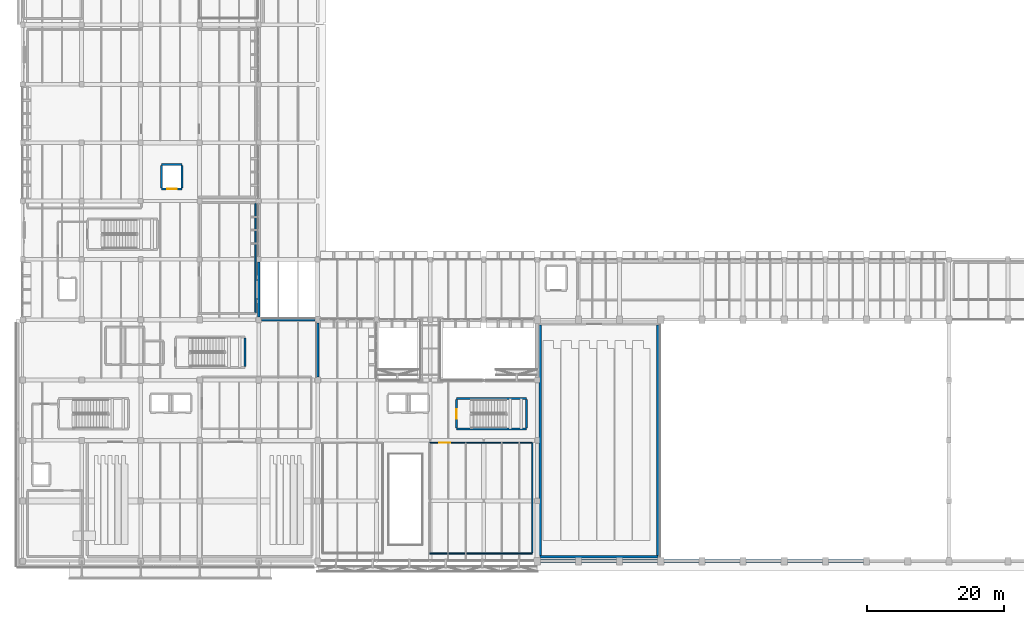
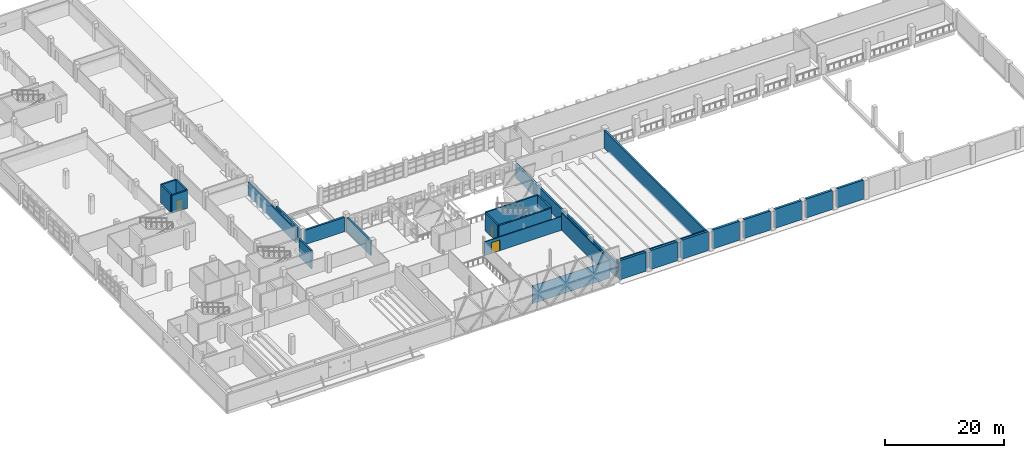
# One storey, part 61 of 80: 27 walls, 3 doors, 3 openings.
"""IFC4 building model written with IfcOpenShell, lengths in metres."""

from ifc_helpers import new_model, si_unit, direction, frame, frame_2d, origin, place, context, subcontext, project, spatial, rectangle, extrude, material, layer, layer_set, type_object, element, fill, save


model = new_model("IFC4")

# Units and contexts
model_context = context("Model", 3, precision=1e-05, world=origin(), true_north=direction((0.0, 1.0)))
body_context = subcontext(model_context, "Body", "Model", "MODEL_VIEW")
ifc_project = project(units=[si_unit("LENGTHUNIT", "METRE"), si_unit("AREAUNIT", "SQUARE_METRE"), si_unit("VOLUMEUNIT", "CUBIC_METRE"), si_unit("PLANEANGLEUNIT", "RADIAN"), si_unit("MASSUNIT", "GRAM", prefix="KILO")], contexts=[model_context])

# Site, building, storey
site_placement = place(None, origin())
site = spatial("IfcSite", under=ifc_project, at=site_placement, CompositionType="ELEMENT")
building_placement = place(site_placement, origin())
building = spatial("IfcBuilding", under=site, at=building_placement, Name="Varnakota Cinema and Media Centre", CompositionType="ELEMENT")
storey_placement = place(building_placement, frame((0.0, 0.0, 4.5)))
storey = spatial("IfcBuildingStorey", under=building, at=storey_placement, Name="L01", CompositionType="ELEMENT", Elevation=4.5)

# Walls
ifc_material_1 = material(Name="Autoclaved aerated concrete blockwork", Category="masonry")
ifc_layer_1 = layer(ifc_material_1, 0.2099609375)
ifc_layer_set_1 = layer_set([ifc_layer_1], Name="Autoclaved aerated concrete blockwork")
wall_type_1 = type_object("IfcWallType", Name="W-ACOUST-210", PredefinedType="PARTITIONING", material=ifc_layer_set_1)
wall_1_placement = place(storey_placement, frame((33.905029296875, 52.199951171875, 0.0), z_axis=(0.0, 0.0, 1.0), x_axis=(0.0, -1.0, 0.0)))
element("IfcWall", 1, at=wall_1_placement, inside=storey, type_object=wall_type_1, Name="L01 RWALL-RM-L01-ADR E wall", PredefinedType="PARTITIONING", context=body_context, shape_type="SweptSolid", body=[
    extrude(rectangle(XDim=16.0, YDim=0.2099609375, at=frame_2d((8.0, 0.0))), origin(), (0.0, 0.0, 1.0), 2.830078125),
])
ifc_material_2 = material(Name="Concrete M40", Category="concrete")
ifc_layer_2 = layer(ifc_material_2, 0.300048828125)
ifc_layer_set_2 = layer_set([ifc_layer_2], Name="Concrete M40")
wall_type_2 = type_object("IfcWallType", Name="W-CORE-300", PredefinedType="SHEAR", material=ifc_layer_set_2)
wall_2_placement = place(storey_placement, frame((32.429931640625, 32.550048828125, 0.0), z_axis=(0.0, 0.0, 1.0), x_axis=(0.0, -1.0, 0.0)))
element("IfcWall", 2, at=wall_2_placement, inside=storey, type_object=wall_type_2, Name="L01 CWALL-ST-02-L01 E wall", PredefinedType="SHEAR", context=body_context, shape_type="SweptSolid", body=[
    extrude(rectangle(XDim=4.150146484375, YDim=0.300048828125, at=frame_2d((2.0751953125, 0.0))), origin(), (0.0, 0.0, 1.0), 3.64990234375),
])
wall_3_placement = place(storey_placement, frame((73.429931640625, 19.25, 0.0), z_axis=(0.0, 0.0, 1.0), x_axis=(-1.0, 0.0, 0.0)))
element("IfcWall", 3, at=wall_3_placement, inside=storey, type_object=wall_type_2, Name="L01 CWALL-ST-04-L01 S wall", PredefinedType="SHEAR", context=body_context, shape_type="SweptSolid", body=[
    extrude(rectangle(XDim=10.179931640625, YDim=0.300048828125, at=frame_2d((5.08984375, 0.0))), origin(), (0.0, 0.0, 1.0), 3.64990234375),
])

# Wall, opening, door
wall_4_placement = place(storey_placement, frame((63.25, 19.39990234375, 0.0), z_axis=(0.0, 0.0, 1.0), x_axis=(0.0, 1.0, 0.0)))
wall_4 = element("IfcWall", 4, at=wall_4_placement, inside=storey, type_object=wall_type_2, Name="L01 CWALL-ST-04-L01 W wall", PredefinedType="SHEAR", context=body_context, shape_type="SweptSolid", body=[
    extrude(rectangle(XDim=4.150146484375, YDim=0.300048828125, at=frame_2d((2.0751953125, 0.0))), origin(), (0.0, 0.0, 1.0), 3.64990234375),
])
opening_1_placement = place(wall_4_placement, frame((1.39990234375, 0.0, 0.0)))
opening_1 = element("IfcOpeningElement", 5, at=opening_1_placement, cuts=wall_4, Name="Opening SD-04", PredefinedType="OPENING", context=body_context, shape_type="SweptSolid", body=[
    extrude(rectangle(XDim=1.35009765625, YDim=2.199951171875, at=frame_2d((0.675048828125, 1.10009765625))), frame((0.0, 0.14990234375, 0.0), z_axis=(0.0, -1.0, 0.0), x_axis=(1.0, 0.0, 0.0)), (0.0, 0.0, 1.0), 0.300048828125),
])
ifc_material_3 = material(Name="Thermally broken anodised aluminium AW-6063", Category="aluminium")
door_type_1 = type_object("IfcDoorType", Name="DR-STAIR-1350x2200", OperationType="NOTDEFINED", PredefinedType="DOOR", material=ifc_material_3)
door_1_placement = place(opening_1_placement, origin())
door_1 = element("IfcDoor", 6, at=door_1_placement, inside=storey, type_object=door_type_1, Name="L01 door SD-04", OperationType="SINGLE_SWING_RIGHT", OverallHeight=2.199951171875, OverallWidth=1.35009765625, PredefinedType="DOOR", context=body_context, shape_type="SweptSolid", body=[
    extrude(rectangle(XDim=1.35009765625, YDim=2.199951171875, at=frame_2d((0.675048828125, 1.10009765625))), frame((0.0, 0.02490234375, 0.0), z_axis=(0.0, -1.0, 0.0), x_axis=(1.0, 0.0, 0.0)), (0.0, 0.0, 1.0), 0.050048828125),
])
fill(opening_1, door_1)

# Walls
wall_5_placement = place(storey_placement, frame((63.25, 23.699951171875, 0.0), z_axis=(0.0, 0.0, 1.0), x_axis=(1.0, 0.0, 0.0)))
element("IfcWall", 7, at=wall_5_placement, inside=storey, type_object=wall_type_2, Name="L01 CWALL-ST-04-L01 N wall", PredefinedType="SHEAR", context=body_context, shape_type="SweptSolid", body=[
    extrude(rectangle(XDim=10.179931640625, YDim=0.300048828125, at=frame_2d((5.08984375, 0.0))), origin(), (0.0, 0.0, 1.0), 3.64990234375),
])
wall_6_placement = place(storey_placement, frame((73.429931640625, 23.550048828125, 0.0), z_axis=(0.0, 0.0, 1.0), x_axis=(0.0, -1.0, 0.0)))
element("IfcWall", 8, at=wall_6_placement, inside=storey, type_object=wall_type_2, Name="L01 CWALL-ST-04-L01 E wall", PredefinedType="SHEAR", context=body_context, shape_type="SweptSolid", body=[
    extrude(rectangle(XDim=4.150146484375, YDim=0.300048828125, at=frame_2d((2.0751953125, 0.0))), origin(), (0.0, 0.0, 1.0), 3.64990234375),
])

# Wall, opening, door
wall_7_placement = place(storey_placement, frame((23.25, 54.25, 0.0), z_axis=(0.0, 0.0, 1.0), x_axis=(-1.0, 0.0, 0.0)))
wall_7 = element("IfcWall", 9, at=wall_7_placement, inside=storey, type_object=wall_type_2, Name="L01 LSHAFT-LF-07-L01 S wall", PredefinedType="SHEAR", context=body_context, shape_type="SweptSolid", body=[
    extrude(rectangle(XDim=3.0, YDim=0.300048828125, at=frame_2d((1.5, 0.0))), origin(), (0.0, 0.0, 1.0), 3.64990234375),
])
opening_2_placement = place(wall_7_placement, frame((0.800048828125, 0.0, 0.0)))
opening_2 = element("IfcOpeningElement", 10, at=opening_2_placement, cuts=wall_7, Name="Opening LD-07", PredefinedType="OPENING", context=body_context, shape_type="SweptSolid", body=[
    extrude(rectangle(XDim=1.39990234375, YDim=2.199951171875, at=frame_2d((0.699951171875, 1.10009765625))), frame((0.0, 0.14990234375, 0.0), z_axis=(0.0, -1.0, 0.0), x_axis=(1.0, 0.0, 0.0)), (0.0, 0.0, 1.0), 0.300048828125),
])
ifc_material_4 = material(Name="Thermally broken anodised aluminium AW-6063", Category="aluminium")
door_type_2 = type_object("IfcDoorType", Name="DR-LIFT-1400x2200", OperationType="DOUBLE_DOOR_SLIDING", PredefinedType="DOOR", material=ifc_material_4)
door_2_placement = place(opening_2_placement, origin())
door_2 = element("IfcDoor", 11, at=door_2_placement, inside=storey, type_object=door_type_2, Name="L01 door LD-07", OperationType="DOUBLE_DOOR_SLIDING", OverallHeight=2.199951171875, OverallWidth=1.39990234375, PredefinedType="DOOR", context=body_context, shape_type="SweptSolid", body=[
    extrude(rectangle(XDim=1.39990234375, YDim=2.199951171875, at=frame_2d((0.699951171875, 1.10009765625))), frame((0.0, 0.02490234375, 0.0), z_axis=(0.0, -1.0, 0.0), x_axis=(1.0, 0.0, 0.0)), (0.0, 0.0, 1.0), 0.050048828125),
])
fill(opening_2, door_2)

# Walls
wall_8_placement = place(storey_placement, frame((20.25, 54.39990234375, 0.0), z_axis=(0.0, 0.0, 1.0), x_axis=(0.0, 1.0, 0.0)))
element("IfcWall", 12, at=wall_8_placement, inside=storey, type_object=wall_type_2, Name="L01 LSHAFT-LF-07-L01 W wall", PredefinedType="SHEAR", context=body_context, shape_type="SweptSolid", body=[
    extrude(rectangle(XDim=3.300048828125, YDim=0.300048828125, at=frame_2d((1.64990234375, 0.0))), origin(), (0.0, 0.0, 1.0), 3.64990234375),
])
wall_9_placement = place(storey_placement, frame((20.25, 57.85009765625, 0.0), z_axis=(0.0, 0.0, 1.0), x_axis=(1.0, 0.0, 0.0)))
element("IfcWall", 13, at=wall_9_placement, inside=storey, type_object=wall_type_2, Name="L01 LSHAFT-LF-07-L01 N wall", PredefinedType="SHEAR", context=body_context, shape_type="SweptSolid", body=[
    extrude(rectangle(XDim=3.0, YDim=0.300048828125, at=frame_2d((1.5, 0.0))), origin(), (0.0, 0.0, 1.0), 3.64990234375),
])
wall_10_placement = place(storey_placement, frame((23.25, 57.699951171875, 0.0), z_axis=(0.0, 0.0, 1.0), x_axis=(0.0, -1.0, 0.0)))
element("IfcWall", 14, at=wall_10_placement, inside=storey, type_object=wall_type_2, Name="L01 LSHAFT-LF-07-L01 E wall", PredefinedType="SHEAR", context=body_context, shape_type="SweptSolid", body=[
    extrude(rectangle(XDim=3.300048828125, YDim=0.300048828125, at=frame_2d((1.64990234375, 0.0))), origin(), (0.0, 0.0, 1.0), 3.64990234375),
])
ifc_material_5 = material(Name="Deccan grey granite ashlar", Category="masonry")
ifc_layer_3 = layer(ifc_material_5, 0.320068359375)
ifc_layer_set_3 = layer_set([ifc_layer_3], Name="Deccan grey granite ashlar")
wall_type_3 = type_object("IfcWallType", Name="W-EXT-GRAN-320", PredefinedType="SOLIDWALL", material=ifc_layer_set_3)
wall_11_placement = place(storey_placement, frame((34.39990234375, 35.625, 0.0), z_axis=(0.0, 0.0, 1.0), x_axis=(0.0, 1.0, 0.0)))
element("IfcWall", 15, at=wall_11_placement, inside=storey, type_object=wall_type_3, Name="L01 exterior wall V5-E-1", PredefinedType="SOLIDWALL", context=body_context, shape_type="SweptSolid", body=[
    extrude(rectangle(XDim=7.97509765625, YDim=0.320068359375, at=frame_2d((3.987548828125, 0.0))), origin(), (0.0, 0.0, 1.0), 2.93505859375),
])
ifc_material_6 = material(Name="Deccan grey granite ashlar", Category="masonry")
ifc_layer_4 = layer(ifc_material_6, 0.43994140625)
ifc_layer_set_4 = layer_set([ifc_layer_4], Name="Deccan grey granite ashlar")
wall_type_4 = type_object("IfcWallType", Name="W-EXT-HALL-440", PredefinedType="SOLIDWALL", material=ifc_layer_set_4)
for number, where, z_axis, x_axis, name in (
    (16, (122.550048828125, 0.0, 0.0), (0.0, 0.0, 1.0), (-1.0, 0.0, 0.0), "L01 exterior wall V1-S-3"),
    (17, (116.550048828125, 0.0, 0.0), (0.0, 0.0, 1.0), (-1.0, 0.0, 0.0), "L01 exterior wall V1-S-4"),
    (18, (110.550048828125, 0.0, 0.0), (0.0, 0.0, 1.0), (-1.0, 0.0, 0.0), "L01 exterior wall V1-S-5"),
    (19, (104.550048828125, 0.0, 0.0), (0.0, 0.0, 1.0), (-1.0, 0.0, 0.0), "L01 exterior wall V1-S-6"),
    (20, (98.550048828125, 0.0, 0.0), (0.0, 0.0, 1.0), (-1.0, 0.0, 0.0), "L01 exterior wall V1-S-7"),
    (21, (92.550048828125, 0.0, 0.0), (0.0, 0.0, 1.0), (-1.0, 0.0, 0.0), "L01 exterior wall V1-S-8"),
    (22, (86.550048828125, 0.0, 0.0), (0.0, 0.0, 1.0), (-1.0, 0.0, 0.0), "L01 exterior wall V1-S-9"),
    (23, (80.550048828125, 0.0, 0.0), (0.0, 0.0, 1.0), (-1.0, 0.0, 0.0), "L01 exterior wall V1-S-10"),
):
    element("IfcWall", number, at=place(storey_placement, frame(where, z_axis=z_axis, x_axis=x_axis)), inside=storey, type_object=wall_type_4, Name=name, PredefinedType="SOLIDWALL", context=body_context, shape_type="SweptSolid", body=[
        extrude(rectangle(XDim=5.10009765625, YDim=0.43994140625, at=frame_2d((2.550048828125, 0.0))), origin(), (0.0, 0.0, 1.0), 3.89990234375),
    ])
ifc_material_7 = material(Name="Pale Tandur limestone cladding", Category="masonry")
ifc_layer_5 = layer(ifc_material_7, 0.360107421875)
ifc_layer_set_5 = layer_set([ifc_layer_5], Name="Pale Tandur limestone cladding")
wall_type_5 = type_object("IfcWallType", Name="W-EXT-TANDUR-360", PredefinedType="SOLIDWALL", material=ifc_layer_set_5)
wall_12_placement = place(storey_placement, frame((43.0, 26.824951171875, 0.0), z_axis=(0.0, 0.0, 1.0), x_axis=(0.0, 1.0, 0.0)))
element("IfcWall", 24, at=wall_12_placement, inside=storey, type_object=wall_type_5, Name="L01 V4 pale Tandur stone monolith wall V4-CHE-01", PredefinedType="SOLIDWALL", context=body_context, shape_type="SweptSolid", body=[
    extrude(rectangle(XDim=7.925048828125, YDim=0.360107421875, at=frame_2d((3.96240234375, 0.0))), origin(), (0.0, 0.0, 1.0), 2.93505859375),
])
wall_13_placement = place(storey_placement, frame((34.824951171875, 35.199951171875, 0.0), z_axis=(0.0, 0.0, 1.0), x_axis=(1.0, 0.0, 0.0)))
element("IfcWall", 25, at=wall_13_placement, inside=storey, type_object=wall_type_5, Name="L01 V4 pale Tandur stone monolith wall V4-N-01", PredefinedType="SOLIDWALL", context=body_context, shape_type="SweptSolid", body=[
    extrude(rectangle(XDim=7.775146484375, YDim=0.360107421875, at=frame_2d((3.8876953125, 0.0))), origin(), (0.0, 0.0, 1.0), 2.93505859375),
])
ifc_material_8 = material(Name="Autoclaved aerated concrete blockwork", Category="masonry")
ifc_layer_6 = layer(ifc_material_8, 0.14990234375)
ifc_layer_set_6 = layer_set([ifc_layer_6], Name="Autoclaved aerated concrete blockwork")
wall_type_6 = type_object("IfcWallType", Name="W-PART-150", PredefinedType="PARTITIONING", material=ifc_layer_set_6)
wall_14_placement = place(storey_placement, frame((74.27490234375, 1.125, 0.0), z_axis=(0.0, 0.0, 1.0), x_axis=(-1.0, 0.0, 0.0)))
element("IfcWall", 26, at=wall_14_placement, inside=storey, type_object=wall_type_6, Name="L01 RWALL-RM-L01-GALLERY S wall", PredefinedType="PARTITIONING", context=body_context, shape_type="SweptSolid", body=[
    extrude(rectangle(XDim=14.949951171875, YDim=0.14990234375, at=frame_2d((7.47509765625, 0.0))), origin(), (0.0, 0.0, 1.0), 3.6298828125),
])

# Wall, opening, door
wall_15_placement = place(storey_placement, frame((59.324951171875, 17.27490234375, 0.0), z_axis=(0.0, 0.0, 1.0), x_axis=(1.0, 0.0, 0.0)))
wall_15 = element("IfcWall", 27, at=wall_15_placement, inside=storey, type_object=wall_type_6, Name="L01 RWALL-RM-L01-GALLERY N wall", PredefinedType="PARTITIONING", context=body_context, shape_type="SweptSolid", body=[
    extrude(rectangle(XDim=14.949951171875, YDim=0.14990234375, at=frame_2d((7.47509765625, 0.0))), origin(), (0.0, 0.0, 1.0), 2.830078125),
])
opening_3_placement = place(wall_15_placement, frame((1.375, 0.0, 0.0)))
opening_3 = element("IfcOpeningElement", 28, at=opening_3_placement, cuts=wall_15, Name="Opening D-063", PredefinedType="OPENING", context=body_context, shape_type="SweptSolid", body=[
    extrude(rectangle(XDim=1.60009765625, YDim=2.199951171875, at=frame_2d((0.800048828125, 1.10009765625))), frame((0.0, 0.074951171875, 0.0), z_axis=(0.0, -1.0, 0.0), x_axis=(1.0, 0.0, 0.0)), (0.0, 0.0, 1.0), 0.14990234375),
])
ifc_material_9 = material(Name="Thermally broken anodised aluminium AW-6063", Category="aluminium")
door_type_3 = type_object("IfcDoorType", Name="DR-STD-1600x2200", OperationType="DOUBLE_DOOR_SINGLE_SWING", PredefinedType="DOOR", material=ifc_material_9)
door_3_placement = place(opening_3_placement, origin())
door_3 = element("IfcDoor", 29, at=door_3_placement, inside=storey, type_object=door_type_3, Name="L01 door D-063", OperationType="DOUBLE_DOOR_SINGLE_SWING", OverallHeight=2.199951171875, OverallWidth=1.60009765625, PredefinedType="DOOR", context=body_context, shape_type="SweptSolid", body=[
    extrude(rectangle(XDim=1.60009765625, YDim=2.199951171875, at=frame_2d((0.800048828125, 1.10009765625))), frame((0.0, 0.02490234375, 0.0), z_axis=(0.0, -1.0, 0.0), x_axis=(1.0, 0.0, 0.0)), (0.0, 0.0, 1.0), 0.050048828125),
])
fill(opening_3, door_3)

# Walls
wall_16_placement = place(storey_placement, frame((74.27490234375, 17.199951171875, 0.0), z_axis=(0.0, 0.0, 1.0), x_axis=(0.0, -1.0, 0.0)))
element("IfcWall", 30, at=wall_16_placement, inside=storey, type_object=wall_type_6, Name="L01 RWALL-RM-L01-GALLERY E wall", PredefinedType="PARTITIONING", context=body_context, shape_type="SweptSolid", body=[
    extrude(rectangle(XDim=16.0, YDim=0.14990234375, at=frame_2d((8.0, 0.0))), origin(), (0.0, 0.0, 1.0), 3.6298828125),
])
ifc_material_10 = material(Name="Concrete M40", Category="concrete")
ifc_layer_7 = layer(ifc_material_10, 0.35009765625)
ifc_layer_set_7 = layer_set([ifc_layer_7], Name="Concrete M40")
wall_type_7 = type_object("IfcWallType", Name="W-SEP-350", PredefinedType="SOLIDWALL", material=ifc_layer_set_7)
wall_17_placement = place(storey_placement, frame((92.574951171875, 0.625, 0.0), z_axis=(0.0, 0.0, 1.0), x_axis=(-1.0, 0.0, 0.0)))
element("IfcWall", 31, at=wall_17_placement, inside=storey, type_object=wall_type_7, Name="L01 RWALL-RM-L01-BALC S wall", PredefinedType="SOLIDWALL", context=body_context, shape_type="SweptSolid", body=[
    extrude(rectangle(XDim=17.14990234375, YDim=0.35009765625, at=frame_2d((8.574951171875, 0.0))), origin(), (0.0, 0.0, 1.0), 3.6298828125),
])
wall_18_placement = place(storey_placement, frame((75.425048828125, 0.800048828125, 0.0), z_axis=(0.0, 0.0, 1.0), x_axis=(0.0, 1.0, 0.0)))
element("IfcWall", 32, at=wall_18_placement, inside=storey, type_object=wall_type_7, Name="L01 RWALL-RM-L01-BALC W wall", PredefinedType="SOLIDWALL", context=body_context, shape_type="SweptSolid", body=[
    extrude(rectangle(XDim=33.599853515625, YDim=0.35009765625, at=frame_2d((16.7998046875, 0.0))), origin(), (0.0, 0.0, 1.0), 2.830078125),
])
wall_19_placement = place(storey_placement, frame((92.574951171875, 34.39990234375, 0.0), z_axis=(0.0, 0.0, 1.0), x_axis=(0.0, -1.0, 0.0)))
element("IfcWall", 33, at=wall_19_placement, inside=storey, type_object=wall_type_7, Name="L01 RWALL-RM-L01-BALC E wall", PredefinedType="SOLIDWALL", context=body_context, shape_type="SweptSolid", body=[
    extrude(rectangle(XDim=33.599853515625, YDim=0.35009765625, at=frame_2d((16.7998046875, 0.0))), origin(), (0.0, 0.0, 1.0), 3.6298828125),
])

save(model, "model.ifc")
